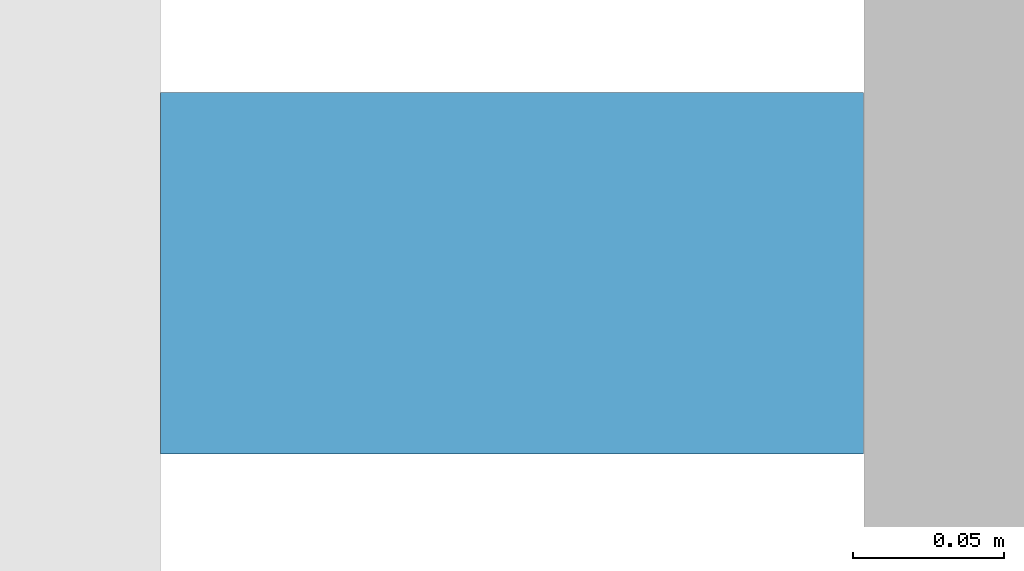
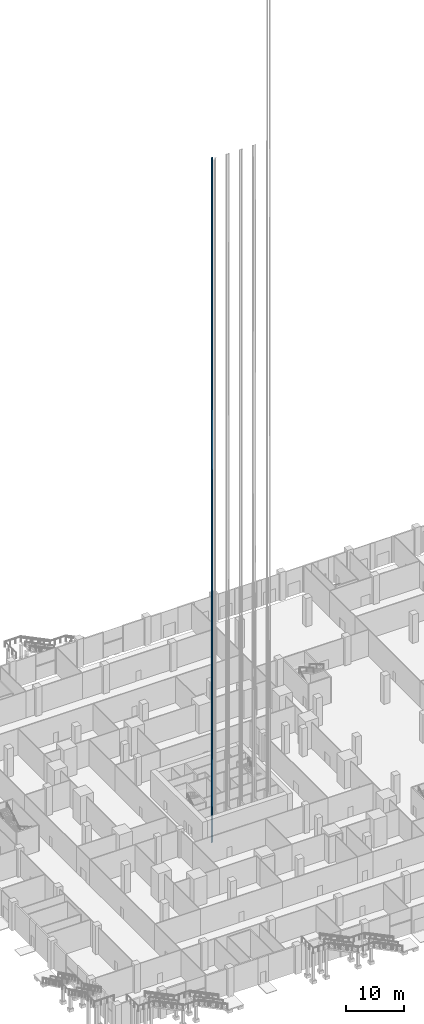
# One storey, part 41 of 68: 1 discrete accessory.
"""IFC4 building model written with IfcOpenShell, lengths in metres."""

from ifc_helpers import new_model, si_unit, direction, frame, origin, origin_2d, place, context, subcontext, project, spatial, rectangle, extrude, element, save


model = new_model("IFC4")

# Units and contexts
model_context = context("Model", 3, precision=1e-05, world=origin(), true_north=direction((0.0, 1.0)))
body_context = subcontext(model_context, "Body", "Model", "MODEL_VIEW")
ifc_project = project(units=[si_unit("LENGTHUNIT", "METRE"), si_unit("AREAUNIT", "SQUARE_METRE"), si_unit("VOLUMEUNIT", "CUBIC_METRE"), si_unit("PLANEANGLEUNIT", "RADIAN"), si_unit("MASSUNIT", "GRAM", prefix="KILO")], contexts=[model_context])

# Site, building, storey
site_placement = place(None, origin())
site = spatial("IfcSite", under=ifc_project, at=site_placement, CompositionType="ELEMENT")
building_placement = place(site_placement, origin())
building = spatial("IfcBuilding", under=site, at=building_placement, Name="Altepetl Exchange Towers", CompositionType="ELEMENT")
storey_placement = place(building_placement, origin())
storey = spatial("IfcBuildingStorey", under=building, at=storey_placement, Name="L00 Ground concourse", CompositionType="ELEMENT", Elevation=0.0)

# Discrete accessory
discrete_accessory_placement = place(storey_placement, frame((43.949951171875, 43.199951171875, -1.60009765625)))
element("IfcDiscreteAccessory", 1, at=discrete_accessory_placement, inside=storey, Name="Guide rail P1", ObjectType="GUIDE RAIL", PredefinedType="USERDEFINED", context=body_context, shape_type="SweptSolid", body=[
    extrude(rectangle(XDim=0.2333984375, YDim=0.1201171875, at=origin_2d()), origin(), (0.0, 0.0, 1.0), 144.85009765625),
])

save(model, "model.ifc")
